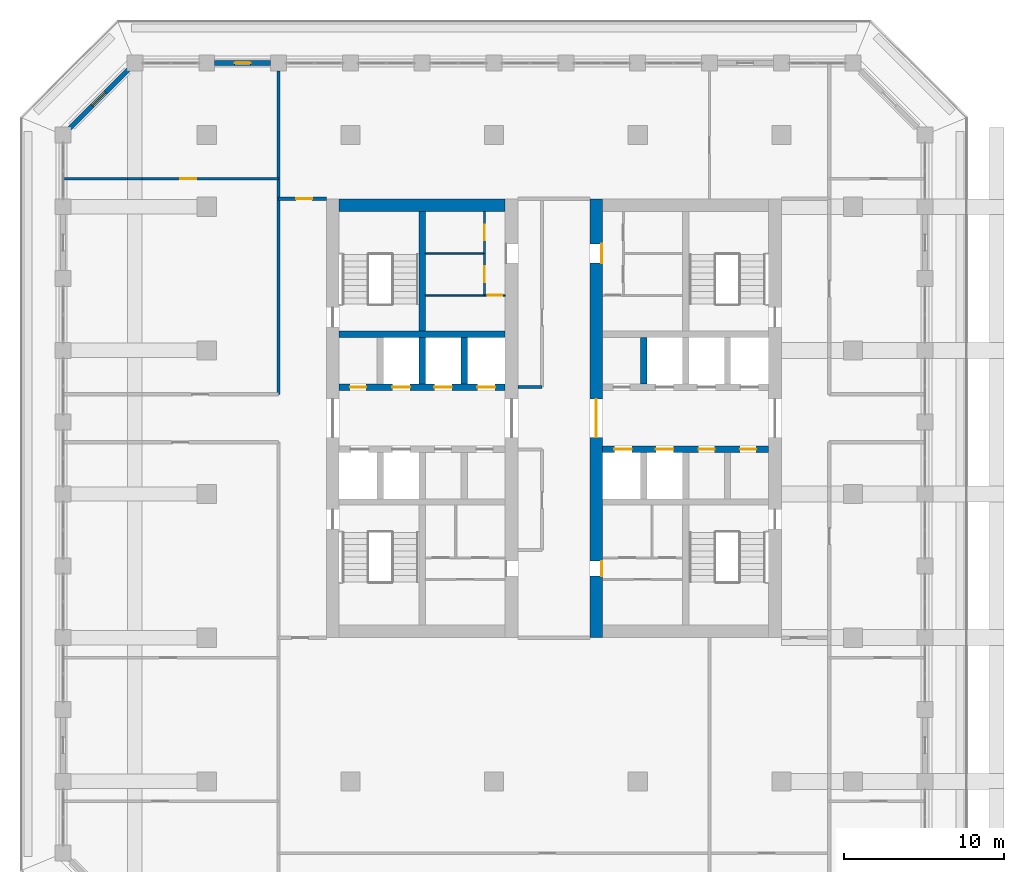
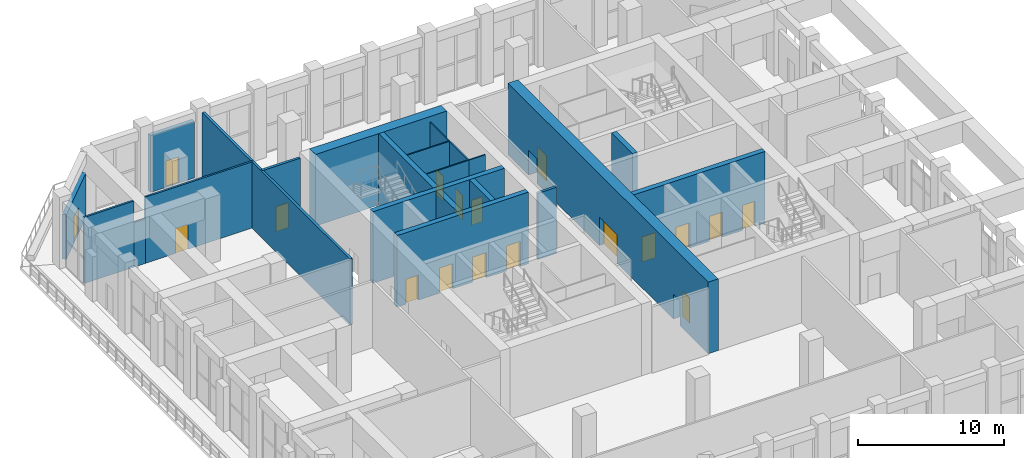
# One storey, part 15 of 25: 22 walls, 18 doors, 18 openings.
"""IFC4 building model written with IfcOpenShell, lengths in metres."""

import ifcopenshell
import ifcopenshell.guid

model = None  # the IFC model being written
_history = None  # IfcOwnerHistory: only IFC2X3 demands one
_inside = {}  # id of a spatial element -> (the spatial element, [elements in it])
_under = {}  # id of a project, library or spatial element -> (it, [spatial elements below it])
_declared = {}  # id of a project -> (the project, [libraries it declares])
_typed = {}  # id of a type object -> (the type object, [elements of that type])
_made_of = {}  # id of a material, layer set ... -> (it, [elements and type objects made of it])


def new_model(schema):
    """Start an empty IFC model of exactly this schema.

    Asked for "IFC4X3", IfcOpenShell would pick the latest addendum, in which some entities
    have other attributes; the version numbers below select the first issue.
    IFC2X3 requires an IfcOwnerHistory on every rooted entity: one is made here for all.
    """
    global model, _history
    if schema == "IFC4X3":
        model = ifcopenshell.file(schema_version=(4, 3, 0, 0))
    else:
        model = ifcopenshell.file(schema=schema)
    _inside.clear()
    _under.clear()
    _declared.clear()
    _typed.clear()
    _made_of.clear()
    _history = None
    if model.schema == "IFC2X3":
        org = make("IfcOrganization", Name="unknown")
        user = make(
            "IfcPersonAndOrganization",
            ThePerson=make("IfcPerson", FamilyName="unknown"),
            TheOrganization=org,
        )
        app = make(
            "IfcApplication",
            ApplicationDeveloper=org,
            Version="unknown",
            ApplicationFullName="unknown",
            ApplicationIdentifier="unknown",
        )
        _history = make(
            "IfcOwnerHistory",
            OwningUser=user,
            OwningApplication=app,
            ChangeAction="ADDED",
            CreationDate=0,
        )
    return model


def make(cls, **values):
    """One entity of the class cls with the attributes given. An attribute that is None is left unset."""
    return model.create_entity(
        cls, **{name: value for name, value in values.items() if value is not None}
    )


def rooted(cls, **values):
    """An entity with a GlobalId (a new one), such as an element, a storey or a relation."""
    return make(cls, GlobalId=ifcopenshell.guid.new(), OwnerHistory=_history, **values)


def si_unit(unit_type, name, prefix=None):
    """IfcSIUnit, for example si_unit("LENGTHUNIT", "METRE", prefix="MILLI")."""
    return make("IfcSIUnit", UnitType=unit_type, Prefix=prefix, Name=name)


def assignment(units):
    """IfcUnitAssignment: the units of a project."""
    return None if units is None else make("IfcUnitAssignment", Units=units)


def point(xyz):
    """IfcCartesianPoint."""
    return None if xyz is None else make("IfcCartesianPoint", Coordinates=xyz)


def direction(xyz):
    """IfcDirection."""
    return None if xyz is None else make("IfcDirection", DirectionRatios=xyz)


def frame(location, z_axis=None, x_axis=None):
    """IfcAxis2Placement3D, a coordinate frame: its origin and axes. An axis left out is left unset."""
    return make(
        "IfcAxis2Placement3D",
        Location=point(location),
        Axis=direction(z_axis),
        RefDirection=direction(x_axis),
    )


def frame_2d(location, x_axis=None):
    """IfcAxis2Placement2D, a coordinate frame in the plane: its origin and x axis."""
    return make(
        "IfcAxis2Placement2D", Location=point(location), RefDirection=direction(x_axis)
    )


def origin():
    """The frame at (0, 0, 0) with its axes left unset."""
    return frame((0.0, 0.0, 0.0))


def place(relative_to, where):
    """IfcLocalPlacement: puts the frame where relative to a parent placement (None: the world)."""
    return make(
        "IfcLocalPlacement", PlacementRelTo=relative_to, RelativePlacement=where
    )


def context(
    kind, dimensions, precision=None, world=None, true_north=None, identifier=None
):
    """IfcGeometricRepresentationContext, for example the 3D "Model" context."""
    return make(
        "IfcGeometricRepresentationContext",
        ContextIdentifier=identifier,
        ContextType=kind,
        CoordinateSpaceDimension=dimensions,
        Precision=precision,
        WorldCoordinateSystem=world,
        TrueNorth=true_north,
    )


def subcontext(parent, identifier, kind, view, scale=None):
    """IfcGeometricRepresentationSubContext, for example "Body" below "Model"."""
    return make(
        "IfcGeometricRepresentationSubContext",
        ContextIdentifier=identifier,
        ContextType=kind,
        ParentContext=parent,
        TargetScale=scale,
        TargetView=view,
    )


def project(units=None, contexts=None):
    """IfcProject with its units and contexts."""
    return rooted(
        "IfcProject",
        Name="project",
        RepresentationContexts=contexts,
        UnitsInContext=assignment(units),
    )


def spatial(cls, under=None, at=None, **own):
    """A site, building, storey or space (cls), placed at a placement, below another one or the project."""
    s = rooted(cls, ObjectPlacement=at, **own)
    if under is not None:
        _under.setdefault(under.id(), (under, []))[1].append(s)
    return s


def profile(cls, at=None, kind="AREA", **sizes):
    """A parametric profile (cls). Its sizes go by their IFC names, for example OverallWidth=200.0."""
    return make(cls, ProfileType=kind, Position=at, **sizes)


def rectangle(**sizes):
    """IfcRectangleProfileDef."""
    return profile("IfcRectangleProfileDef", **sizes)


def extrude(swept, where, along, depth):
    """IfcExtrudedAreaSolid: the profile swept, set in the frame where, extruded along a direction by depth."""
    return make(
        "IfcExtrudedAreaSolid",
        SweptArea=swept,
        Position=where,
        ExtrudedDirection=direction(along),
        Depth=depth,
    )


def shape(context_of_items, identifier, shape_type, items):
    """IfcShapeRepresentation: the items that make up one representation, for example the "Body"."""
    return make(
        "IfcShapeRepresentation",
        ContextOfItems=context_of_items,
        RepresentationIdentifier=identifier,
        RepresentationType=shape_type,
        Items=items,
    )


def material(Name=None, Category=None):
    """IfcMaterial."""
    return make("IfcMaterial", Name=Name, Category=Category)


def layer(
    of_material, thickness, ventilated=None, Name=None, Category=None, Priority=None
):
    """IfcMaterialLayer: one layer of a wall or slab, of a material (None: an air gap)."""
    return make(
        "IfcMaterialLayer",
        Material=of_material,
        LayerThickness=thickness,
        IsVentilated=ventilated,
        Name=Name,
        Category=Category,
        Priority=Priority,
    )


def layer_set(layers, Name=None):
    """IfcMaterialLayerSet."""
    return make("IfcMaterialLayerSet", MaterialLayers=layers, LayerSetName=Name)


def made_of(thing, what):
    """Note that an element or type object is made of a material, layer set ...; save() writes the relation."""
    if what is not None:
        _made_of.setdefault(what.id(), (what, []))[1].append(thing)
    return thing


def type_object(cls, material=None, **own):
    """A type object (cls), such as IfcWallType, which elements share."""
    return made_of(rooted(cls, **own), material)


def element(
    cls,
    number,
    at=None,
    inside=None,
    cuts=None,
    type_object=None,
    material=None,
    context=None,
    identifier="Body",
    shape_type=None,
    held_by="IfcProductDefinitionShape",
    body=None,
    shapes=None,
    **own,
):
    """One element of the class cls, such as IfcWall. Its Tag is "e" and its number.

    at: its placement. inside: the storey or other place that contains it. cuts: it is an
    opening in that element (IfcRelVoidsElement). A single representation is given by context,
    identifier, shape_type and body (its items); several are given by shapes. held_by: the class
    of the entity that holds the representations. save() writes the other relations.
    """
    e = rooted(cls, Tag="e%d" % number, ObjectPlacement=at, **own)
    if body is not None:
        shapes = [shape(context, identifier, shape_type, body)]
    if shapes is not None:
        e.Representation = make(held_by, Representations=shapes)
    if inside is not None:
        _inside.setdefault(inside.id(), (inside, []))[1].append(e)
    if cuts is not None:
        rooted(
            "IfcRelVoidsElement", RelatingBuildingElement=cuts, RelatedOpeningElement=e
        )
    if type_object is not None:
        _typed.setdefault(type_object.id(), (type_object, []))[1].append(e)
    return made_of(e, material)


def fill(opening, filler):
    """IfcRelFillsElement: the door or window that sits in an opening."""
    return rooted(
        "IfcRelFillsElement",
        RelatingOpeningElement=opening,
        RelatedBuildingElement=filler,
    )


def aggregate(whole, parts):
    """IfcRelAggregates: a whole, such as a stair, and the parts it consists of."""
    return rooted("IfcRelAggregates", RelatingObject=whole, RelatedObjects=parts)


def save(model, path):
    """Write the relations noted so far, then the file.

    IfcRelAggregates (storeys below a building ...), IfcRelContainedInSpatialStructure (elements
    in a storey), IfcRelDefinesByType, IfcRelAssociatesMaterial and IfcRelDeclares: one each for
    every whole, place, type object, material and project.
    """
    for whole, parts in _under.values():
        aggregate(whole, parts)
    for where, things in _inside.values():
        rooted(
            "IfcRelContainedInSpatialStructure",
            RelatedElements=things,
            RelatingStructure=where,
        )
    for kind, things in _typed.values():
        rooted("IfcRelDefinesByType", RelatedObjects=things, RelatingType=kind)
    for what, things in _made_of.values():
        rooted("IfcRelAssociatesMaterial", RelatedObjects=things, RelatingMaterial=what)
    for by, libraries in _declared.values():
        rooted("IfcRelDeclares", RelatingContext=by, RelatedDefinitions=libraries)
    model.write(path)


model = new_model("IFC4")

# Units and contexts
model_context = context("Model", 3, precision=1e-05, world=origin(), true_north=direction((0.0, 1.0)))
body_context = subcontext(model_context, "Body", "Model", "MODEL_VIEW")
ifc_project = project(units=[si_unit("LENGTHUNIT", "METRE"), si_unit("AREAUNIT", "SQUARE_METRE"), si_unit("VOLUMEUNIT", "CUBIC_METRE"), si_unit("PLANEANGLEUNIT", "RADIAN"), si_unit("MASSUNIT", "GRAM", prefix="KILO")], contexts=[model_context])

# Site, building, storey
site_placement = place(None, origin())
site = spatial("IfcSite", under=ifc_project, at=site_placement, CompositionType="ELEMENT")
building_placement = place(site_placement, origin())
building = spatial("IfcBuilding", under=site, at=building_placement, Name="Corbel Stack Research Tower", CompositionType="ELEMENT")
storey_placement = place(building_placement, frame((0.0, 0.0, 185.5)))
storey = spatial("IfcBuildingStorey", under=building, at=storey_placement, Name="L42", CompositionType="ELEMENT", Elevation=185.5)

# Wall, openings, doors
ifc_material_1 = material(Name="Concrete C60/75", Category="concrete")
ifc_layer_1 = layer(ifc_material_1, 0.39990234375)
ifc_layer_set_1 = layer_set([ifc_layer_1], Name="Concrete C60/75")
wall_type_1 = type_object("IfcWallType", Name="CW-400-60", PredefinedType="SHEAR", material=ifc_layer_set_1)
wall_1_placement = place(storey_placement, frame((-9.699951171875, 6.699951171875, 0.0), z_axis=(0.0, 0.0, 1.0), x_axis=(1.0, 0.0, 0.0)))
wall_1 = element("IfcWall", 1, at=wall_1_placement, inside=storey, type_object=wall_type_1, Name="West core wall, lobby north L42", PredefinedType="SHEAR", context=body_context, shape_type="SweptSolid", body=[
    extrude(rectangle(XDim=10.39990234375, YDim=0.39990234375, at=frame_2d((5.199951171875, 0.0))), origin(), (0.0, 0.0, 1.0), 6.0),
])
opening_1_placement = place(wall_1_placement, frame((3.33740234375, 0.0, 0.0)))
opening_1 = element("IfcOpeningElement", 2, at=opening_1_placement, cuts=wall_1, Name="Opening LD-HR1", PredefinedType="OPENING", context=body_context, shape_type="SweptSolid", body=[
    extrude(rectangle(XDim=1.10009765625, YDim=2.10009765625, at=frame_2d((0.550048828125, 1.050048828125))), frame((0.0, 0.2099609375, 0.0), z_axis=(0.0, -1.0, 0.0), x_axis=(1.0, 0.0, 0.0)), (0.0, 0.0, 1.0), 0.419921875),
])
opening_2_placement = place(wall_1_placement, frame((5.96240234375, 0.0, 0.0)))
opening_2 = element("IfcOpeningElement", 3, at=opening_2_placement, cuts=wall_1, Name="Opening LD-HR2", PredefinedType="OPENING", context=body_context, shape_type="SweptSolid", body=[
    extrude(rectangle(XDim=1.10009765625, YDim=2.10009765625, at=frame_2d((0.550048828125, 1.050048828125))), frame((0.0, 0.2099609375, 0.0), z_axis=(0.0, -1.0, 0.0), x_axis=(1.0, 0.0, 0.0)), (0.0, 0.0, 1.0), 0.419921875),
])
opening_3_placement = place(wall_1_placement, frame((8.66259765625, 0.0, 0.0)))
opening_3 = element("IfcOpeningElement", 4, at=opening_3_placement, cuts=wall_1, Name="Opening LD-HR3", PredefinedType="OPENING", context=body_context, shape_type="SweptSolid", body=[
    extrude(rectangle(XDim=1.10009765625, YDim=2.10009765625, at=frame_2d((0.550048828125, 1.050048828125))), frame((0.0, 0.2099609375, 0.0), z_axis=(0.0, -1.0, 0.0), x_axis=(1.0, 0.0, 0.0)), (0.0, 0.0, 1.0), 0.419921875),
])
opening_4_placement = place(wall_1_placement, frame((0.6875, 0.0, 0.0)))
opening_4 = element("IfcOpeningElement", 5, at=opening_4_placement, cuts=wall_1, Name="Opening CR-W24-N1", PredefinedType="OPENING", context=body_context, shape_type="SweptSolid", body=[
    extrude(rectangle(XDim=1.0, YDim=2.10009765625, at=frame_2d((0.5, 1.050048828125))), frame((0.0, 0.2099609375, 0.0), z_axis=(0.0, -1.0, 0.0), x_axis=(1.0, 0.0, 0.0)), (0.0, 0.0, 1.0), 0.419921875),
])
ifc_material_2 = material(Name="Stainless steel landing door", Category="steel")
door_type_1 = type_object("IfcDoorType", Name="Lift landing door 1100 x 2100", OperationType="DOUBLE_DOOR_SLIDING", PredefinedType="DOOR", material=ifc_material_2)
door_1_placement = place(opening_1_placement, origin())
door_1 = element("IfcDoor", 6, at=door_1_placement, inside=storey, type_object=door_type_1, Name="Landing door HR1", OperationType="DOUBLE_DOOR_SLIDING", OverallHeight=2.10009765625, OverallWidth=1.10009765625, PredefinedType="DOOR", context=body_context, shape_type="SweptSolid", body=[
    extrude(rectangle(XDim=1.10009765625, YDim=2.10009765625, at=frame_2d((0.550048828125, 1.050048828125))), frame((0.0, 0.02490234375, 0.0), z_axis=(0.0, -1.0, 0.0), x_axis=(1.0, 0.0, 0.0)), (0.0, 0.0, 1.0), 0.050048828125),
])
fill(opening_1, door_1)
door_2_placement = place(opening_2_placement, origin())
door_2 = element("IfcDoor", 7, at=door_2_placement, inside=storey, type_object=door_type_1, Name="Landing door HR2", OperationType="DOUBLE_DOOR_SLIDING", OverallHeight=2.10009765625, OverallWidth=1.10009765625, PredefinedType="DOOR", context=body_context, shape_type="SweptSolid", body=[
    extrude(rectangle(XDim=1.10009765625, YDim=2.10009765625, at=frame_2d((0.550048828125, 1.050048828125))), frame((0.0, 0.02490234375, 0.0), z_axis=(0.0, -1.0, 0.0), x_axis=(1.0, 0.0, 0.0)), (0.0, 0.0, 1.0), 0.050048828125),
])
fill(opening_2, door_2)
door_3_placement = place(opening_3_placement, origin())
door_3 = element("IfcDoor", 8, at=door_3_placement, inside=storey, type_object=door_type_1, Name="Landing door HR3", OperationType="DOUBLE_DOOR_SLIDING", OverallHeight=2.10009765625, OverallWidth=1.10009765625, PredefinedType="DOOR", context=body_context, shape_type="SweptSolid", body=[
    extrude(rectangle(XDim=1.10009765625, YDim=2.10009765625, at=frame_2d((0.550048828125, 1.050048828125))), frame((0.0, 0.02490234375, 0.0), z_axis=(0.0, -1.0, 0.0), x_axis=(1.0, 0.0, 0.0)), (0.0, 0.0, 1.0), 0.050048828125),
])
fill(opening_3, door_3)
ifc_material_3 = material(Name="Painted steel door", Category="steel")
door_type_2 = type_object("IfcDoorType", Name="Service door 1000 x 2100 FD60 left hand", OperationType="SINGLE_SWING_LEFT", PredefinedType="DOOR", material=ifc_material_3)
door_4_placement = place(opening_4_placement, origin())
door_4 = element("IfcDoor", 9, at=door_4_placement, inside=storey, type_object=door_type_2, Name="Pantry door W core", OperationType="SINGLE_SWING_LEFT", OverallHeight=2.10009765625, OverallWidth=1.0, PredefinedType="DOOR", context=body_context, shape_type="SweptSolid", body=[
    extrude(rectangle(XDim=1.0, YDim=2.10009765625, at=frame_2d((0.5, 1.050048828125))), frame((0.0, 0.02490234375, 0.0), z_axis=(0.0, -1.0, 0.0), x_axis=(1.0, 0.0, 0.0)), (0.0, 0.0, 1.0), 0.050048828125),
])
fill(opening_4, door_4)

# Walls
wall_2_placement = place(storey_placement, frame((-9.699951171875, 10.0, 0.0), z_axis=(0.0, 0.0, 1.0), x_axis=(1.0, 0.0, 0.0)))
element("IfcWall", 10, at=wall_2_placement, inside=storey, type_object=wall_type_1, Name="West core wall, north row back L42", PredefinedType="SHEAR", context=body_context, shape_type="SweptSolid", body=[
    extrude(rectangle(XDim=10.39990234375, YDim=0.39990234375, at=frame_2d((5.199951171875, 0.0))), origin(), (0.0, 0.0, 1.0), 6.0),
])
for number, where, z_axis, x_axis, name in (
    (11, (-4.5, 6.89990234375, 0.0), (0.0, 0.0, 1.0), (0.0, 1.0, 0.0), "West core wall, north shaft 2 L42"),
    (12, (-1.875, 6.89990234375, 0.0), (0.0, 0.0, 1.0), (0.0, 1.0, 0.0), "West core wall, north shaft 3 L42"),
):
    element("IfcWall", number, at=place(storey_placement, frame(where, z_axis=z_axis, x_axis=x_axis)), inside=storey, type_object=wall_type_1, Name=name, PredefinedType="SHEAR", context=body_context, shape_type="SweptSolid", body=[
        extrude(rectangle(XDim=2.900146484375, YDim=0.39990234375, at=frame_2d((1.4501953125, 0.0))), origin(), (0.0, 0.0, 1.0), 6.0),
    ])
wall_3_placement = place(storey_placement, frame((-4.5, 10.199951171875, 0.0), z_axis=(0.0, 0.0, 1.0), x_axis=(0.0, 1.0, 0.0)))
element("IfcWall", 13, at=wall_3_placement, inside=storey, type_object=wall_type_1, Name="West core wall, north stair and riser L42", PredefinedType="SHEAR", context=body_context, shape_type="SweptSolid", body=[
    extrude(rectangle(XDim=7.5, YDim=0.39990234375, at=frame_2d((3.75, 0.0))), origin(), (0.0, 0.0, 1.0), 6.0),
])

# Wall, openings, doors
wall_4_placement = place(storey_placement, frame((6.800048828125, 2.800048828125, 0.0), z_axis=(0.0, 0.0, 1.0), x_axis=(1.0, 0.0, 0.0)))
wall_4 = element("IfcWall", 14, at=wall_4_placement, inside=storey, type_object=wall_type_1, Name="East core wall, lobby south L42", PredefinedType="SHEAR", context=body_context, shape_type="SweptSolid", body=[
    extrude(rectangle(XDim=10.39990234375, YDim=0.39990234375, at=frame_2d((5.199951171875, 0.0))), origin(), (0.0, 0.0, 1.0), 6.0),
])
opening_5_placement = place(wall_4_placement, frame((0.737548828125, 0.0, 0.0)))
opening_5 = element("IfcOpeningElement", 15, at=opening_5_placement, cuts=wall_4, Name="Opening LD-FS2", PredefinedType="OPENING", context=body_context, shape_type="SweptSolid", body=[
    extrude(rectangle(XDim=1.10009765625, YDim=2.10009765625, at=frame_2d((0.550048828125, 1.050048828125))), frame((0.0, 0.2099609375, 0.0), z_axis=(0.0, -1.0, 0.0), x_axis=(1.0, 0.0, 0.0)), (0.0, 0.0, 1.0), 0.419921875),
])
opening_6_placement = place(wall_4_placement, frame((3.33740234375, 0.0, 0.0)))
opening_6 = element("IfcOpeningElement", 16, at=opening_6_placement, cuts=wall_4, Name="Opening LD-GL2", PredefinedType="OPENING", context=body_context, shape_type="SweptSolid", body=[
    extrude(rectangle(XDim=1.10009765625, YDim=2.10009765625, at=frame_2d((0.550048828125, 1.050048828125))), frame((0.0, 0.2099609375, 0.0), z_axis=(0.0, -1.0, 0.0), x_axis=(1.0, 0.0, 0.0)), (0.0, 0.0, 1.0), 0.419921875),
])
opening_7_placement = place(wall_4_placement, frame((6.012451171875, 0.0, 0.0)))
opening_7 = element("IfcOpeningElement", 17, at=opening_7_placement, cuts=wall_4, Name="Opening CR-E24-S3", PredefinedType="OPENING", context=body_context, shape_type="SweptSolid", body=[
    extrude(rectangle(XDim=1.0, YDim=2.10009765625, at=frame_2d((0.5, 1.050048828125))), frame((0.0, 0.2099609375, 0.0), z_axis=(0.0, -1.0, 0.0), x_axis=(1.0, 0.0, 0.0)), (0.0, 0.0, 1.0), 0.419921875),
])
opening_8_placement = place(wall_4_placement, frame((8.612548828125, 0.0, 0.0)))
opening_8 = element("IfcOpeningElement", 18, at=opening_8_placement, cuts=wall_4, Name="Opening CR-E24-S4", PredefinedType="OPENING", context=body_context, shape_type="SweptSolid", body=[
    extrude(rectangle(XDim=1.0, YDim=2.10009765625, at=frame_2d((0.5, 1.050048828125))), frame((0.0, 0.2099609375, 0.0), z_axis=(0.0, -1.0, 0.0), x_axis=(1.0, 0.0, 0.0)), (0.0, 0.0, 1.0), 0.419921875),
])
door_5_placement = place(opening_5_placement, origin())
door_5 = element("IfcDoor", 19, at=door_5_placement, inside=storey, type_object=door_type_1, Name="Landing door FS2", OperationType="DOUBLE_DOOR_SLIDING", OverallHeight=2.10009765625, OverallWidth=1.10009765625, PredefinedType="DOOR", context=body_context, shape_type="SweptSolid", body=[
    extrude(rectangle(XDim=1.10009765625, YDim=2.10009765625, at=frame_2d((0.550048828125, 1.050048828125))), frame((0.0, 0.02490234375, 0.0), z_axis=(0.0, -1.0, 0.0), x_axis=(1.0, 0.0, 0.0)), (0.0, 0.0, 1.0), 0.050048828125),
])
fill(opening_5, door_5)
door_6_placement = place(opening_6_placement, origin())
door_6 = element("IfcDoor", 20, at=door_6_placement, inside=storey, type_object=door_type_1, Name="Landing door GL2", OperationType="DOUBLE_DOOR_SLIDING", OverallHeight=2.10009765625, OverallWidth=1.10009765625, PredefinedType="DOOR", context=body_context, shape_type="SweptSolid", body=[
    extrude(rectangle(XDim=1.10009765625, YDim=2.10009765625, at=frame_2d((0.550048828125, 1.050048828125))), frame((0.0, 0.02490234375, 0.0), z_axis=(0.0, -1.0, 0.0), x_axis=(1.0, 0.0, 0.0)), (0.0, 0.0, 1.0), 0.050048828125),
])
fill(opening_6, door_6)
door_7_placement = place(opening_7_placement, origin())
door_7 = element("IfcDoor", 21, at=door_7_placement, inside=storey, type_object=door_type_2, Name="Mechanical room door E core", OperationType="SINGLE_SWING_LEFT", OverallHeight=2.10009765625, OverallWidth=1.0, PredefinedType="DOOR", context=body_context, shape_type="SweptSolid", body=[
    extrude(rectangle(XDim=1.0, YDim=2.10009765625, at=frame_2d((0.5, 1.050048828125))), frame((0.0, 0.02490234375, 0.0), z_axis=(0.0, -1.0, 0.0), x_axis=(1.0, 0.0, 0.0)), (0.0, 0.0, 1.0), 0.050048828125),
])
fill(opening_7, door_7)
ifc_material_4 = material(Name="Painted steel door", Category="steel")
door_type_3 = type_object("IfcDoorType", Name="Service door 1000 x 2100 FD60 right hand", OperationType="SINGLE_SWING_RIGHT", PredefinedType="DOOR", material=ifc_material_4)
door_8_placement = place(opening_8_placement, origin())
door_8 = element("IfcDoor", 22, at=door_8_placement, inside=storey, type_object=door_type_3, Name="Telecom room door E core", OperationType="SINGLE_SWING_RIGHT", OverallHeight=2.10009765625, OverallWidth=1.0, PredefinedType="DOOR", context=body_context, shape_type="SweptSolid", body=[
    extrude(rectangle(XDim=1.0, YDim=2.10009765625, at=frame_2d((0.5, 1.050048828125))), frame((0.0, 0.02490234375, 0.0), z_axis=(0.0, -1.0, 0.0), x_axis=(1.0, 0.0, 0.0)), (0.0, 0.0, 1.0), 0.050048828125),
])
fill(opening_8, door_8)

# Walls
wall_5_placement = place(storey_placement, frame((9.375, 6.89990234375, 0.0), z_axis=(0.0, 0.0, 1.0), x_axis=(0.0, 1.0, 0.0)))
element("IfcWall", 23, at=wall_5_placement, inside=storey, type_object=wall_type_1, Name="East core wall, north shaft 1 L42", PredefinedType="SHEAR", context=body_context, shape_type="SweptSolid", body=[
    extrude(rectangle(XDim=2.900146484375, YDim=0.39990234375, at=frame_2d((1.4501953125, 0.0))), origin(), (0.0, 0.0, 1.0), 6.0),
])
ifc_material_5 = material(Name="Concrete C60/75", Category="concrete")
ifc_layer_2 = layer(ifc_material_5, 0.800048828125)
ifc_layer_set_2 = layer_set([ifc_layer_2], Name="Concrete C60/75")
wall_type_2 = type_object("IfcWallType", Name="CW-800-60", PredefinedType="SHEAR", material=ifc_layer_set_2)
wall_6_placement = place(storey_placement, frame((-9.699951171875, 18.10009765625, 0.0), z_axis=(0.0, 0.0, 1.0), x_axis=(1.0, 0.0, 0.0)))
element("IfcWall", 24, at=wall_6_placement, inside=storey, type_object=wall_type_2, Name="West core wall, north end L42", PredefinedType="SHEAR", context=body_context, shape_type="SweptSolid", body=[
    extrude(rectangle(XDim=10.39990234375, YDim=0.800048828125, at=frame_2d((5.199951171875, 0.0))), origin(), (0.0, 0.0, 1.0), 6.0),
])

# Wall, openings, doors
wall_7_placement = place(storey_placement, frame((6.39990234375, -9.0, 0.0), z_axis=(0.0, 0.0, 1.0), x_axis=(0.0, 1.0, 0.0)))
wall_7 = element("IfcWall", 25, at=wall_7_placement, inside=storey, type_object=wall_type_2, Name="East core wall, west face L42", PredefinedType="SHEAR", context=body_context, shape_type="SweptSolid", body=[
    extrude(rectangle(XDim=27.5, YDim=0.800048828125, at=frame_2d((13.75, 0.0))), origin(), (0.0, 0.0, 1.0), 6.0),
])
opening_9_placement = place(wall_7_placement, frame((12.550048828125, 0.0, 0.0)))
opening_9 = element("IfcOpeningElement", 26, at=opening_9_placement, cuts=wall_7, Name="Opening CD-E-W", PredefinedType="OPENING", context=body_context, shape_type="SweptSolid", body=[
    extrude(rectangle(XDim=2.39990234375, YDim=2.39990234375, at=frame_2d((1.199951171875, 1.199951171875))), frame((0.0, 0.409912109375, 0.0), z_axis=(0.0, -1.0, 0.0), x_axis=(1.0, 0.0, 0.0)), (0.0, 0.0, 1.0), 0.820068359375),
])
opening_10_placement = place(wall_7_placement, frame((3.85009765625, 0.0, 0.0)))
opening_10 = element("IfcOpeningElement", 27, at=opening_10_placement, cuts=wall_7, Name="Opening CR-E24-W1-950", PredefinedType="OPENING", context=body_context, shape_type="SweptSolid", body=[
    extrude(rectangle(XDim=0.949951171875, YDim=2.10009765625, at=frame_2d((0.47509765625, 1.050048828125))), frame((0.0, 0.409912109375, 0.0), z_axis=(0.0, -1.0, 0.0), x_axis=(1.0, 0.0, 0.0)), (0.0, 0.0, 1.0), 0.820068359375),
])
opening_11_placement = place(wall_7_placement, frame((23.47509765625, 0.0, 0.0)))
opening_11 = element("IfcOpeningElement", 28, at=opening_11_placement, cuts=wall_7, Name="Opening CR-E24-R2-1200", PredefinedType="OPENING", context=body_context, shape_type="SweptSolid", body=[
    extrude(rectangle(XDim=1.199951171875, YDim=2.10009765625, at=frame_2d((0.60009765625, 1.050048828125))), frame((0.0, 0.409912109375, 0.0), z_axis=(0.0, -1.0, 0.0), x_axis=(1.0, 0.0, 0.0)), (0.0, 0.0, 1.0), 0.820068359375),
])
ifc_material_6 = material(Name="Painted steel fire door", Category="steel")
door_type_4 = type_object("IfcDoorType", Name="Lobby door pair 2400 x 2400 FD30S", OperationType="DOUBLE_DOOR_DOUBLE_SWING", PredefinedType="DOOR", material=ifc_material_6)
door_9_placement = place(opening_9_placement, origin())
door_9 = element("IfcDoor", 29, at=door_9_placement, inside=storey, type_object=door_type_4, Name="Lift lobby door E core W", OperationType="DOUBLE_DOOR_DOUBLE_SWING", OverallHeight=2.39990234375, OverallWidth=2.39990234375, PredefinedType="DOOR", context=body_context, shape_type="SweptSolid", body=[
    extrude(rectangle(XDim=2.39990234375, YDim=2.39990234375, at=frame_2d((1.199951171875, 1.199951171875))), frame((0.0, 0.02490234375, 0.0), z_axis=(0.0, -1.0, 0.0), x_axis=(1.0, 0.0, 0.0)), (0.0, 0.0, 1.0), 0.050048828125),
])
fill(opening_9, door_9)
ifc_material_7 = material(Name="Painted steel door", Category="steel")
door_type_5 = type_object("IfcDoorType", Name="Service door 1200 x 2100 FD30 left hand", OperationType="SINGLE_SWING_LEFT", PredefinedType="DOOR", material=ifc_material_7)
door_10_placement = place(opening_11_placement, origin())
door_10 = element("IfcDoor", 30, at=door_10_placement, inside=storey, type_object=door_type_5, Name="Service passage door E core", OperationType="SINGLE_SWING_LEFT", OverallHeight=2.10009765625, OverallWidth=1.199951171875, PredefinedType="DOOR", context=body_context, shape_type="SweptSolid", body=[
    extrude(rectangle(XDim=1.199951171875, YDim=2.10009765625, at=frame_2d((0.60009765625, 1.050048828125))), frame((0.0, -0.3251953125, 0.0), z_axis=(0.0, -1.0, 0.0), x_axis=(1.0, 0.0, 0.0)), (0.0, 0.0, 1.0), 0.050048828125),
])
fill(opening_11, door_10)
ifc_material_8 = material(Name="Painted timber door", Category="wood")
door_type_6 = type_object("IfcDoorType", Name="WC door 950 x 2100 right hand", OperationType="SINGLE_SWING_RIGHT", PredefinedType="DOOR", material=ifc_material_8)
door_11_placement = place(opening_10_placement, origin())
door_11 = element("IfcDoor", 31, at=door_11_placement, inside=storey, type_object=door_type_6, Name="WC lobby door E core", OperationType="SINGLE_SWING_RIGHT", OverallHeight=2.10009765625, OverallWidth=0.949951171875, PredefinedType="DOOR", context=body_context, shape_type="SweptSolid", body=[
    extrude(rectangle(XDim=0.949951171875, YDim=2.10009765625, at=frame_2d((0.47509765625, 1.050048828125))), frame((0.0, -0.3251953125, 0.0), z_axis=(0.0, -1.0, 0.0), x_axis=(1.0, 0.0, 0.0)), (0.0, 0.0, 1.0), 0.050048828125),
])
fill(opening_10, door_11)

# Wall, opening, door
ifc_material_9 = material(Name="Gypsum board")
ifc_layer_3 = layer(ifc_material_9, 0.10009765625)
ifc_layer_set_3 = layer_set([ifc_layer_3], Name="Gypsum board")
wall_type_3 = type_object("IfcWallType", Name="Core partition 100", PredefinedType="PARTITIONING", material=ifc_layer_set_3)
wall_8_placement = place(storey_placement, frame((-0.60009765625, 12.449951171875, 0.0), z_axis=(0.0, 0.0, 1.0), x_axis=(1.0, 0.0, 0.0)))
wall_8 = element("IfcWall", 32, at=wall_8_placement, inside=storey, type_object=wall_type_3, Name="Core partition W", PredefinedType="PARTITIONING", context=body_context, shape_type="SweptSolid", body=[
    extrude(rectangle(XDim=1.300048828125, YDim=0.10009765625, at=frame_2d((0.64990234375, 0.0))), origin(), (0.0, 0.0, 1.0), 5.550048828125),
])
opening_12_placement = place(wall_8_placement, frame((0.199951171875, 0.0, 0.0)))
opening_12 = element("IfcOpeningElement", 33, at=opening_12_placement, cuts=wall_8, Name="Opening CR-W24-R1-900", PredefinedType="OPENING", context=body_context, shape_type="SweptSolid", body=[
    extrude(rectangle(XDim=0.89990234375, YDim=2.10009765625, at=frame_2d((0.449951171875, 1.050048828125))), frame((0.0, 0.06005859375, 0.0), z_axis=(0.0, -1.0, 0.0), x_axis=(1.0, 0.0, 0.0)), (0.0, 0.0, 1.0), 0.1201171875),
])
ifc_material_10 = material(Name="Painted steel door", Category="steel")
door_type_7 = type_object("IfcDoorType", Name="Riser door 900 x 2100 FD60 left hand", OperationType="SINGLE_SWING_LEFT", PredefinedType="DOOR", material=ifc_material_10)
door_12_placement = place(opening_12_placement, origin())
door_12 = element("IfcDoor", 34, at=door_12_placement, inside=storey, type_object=door_type_7, Name="Electrical riser door W core", OperationType="SINGLE_SWING_LEFT", OverallHeight=2.10009765625, OverallWidth=0.89990234375, PredefinedType="DOOR", context=body_context, shape_type="SweptSolid", body=[
    extrude(rectangle(XDim=0.89990234375, YDim=2.10009765625, at=frame_2d((0.449951171875, 1.050048828125))), frame((0.0, 0.02490234375, 0.0), z_axis=(0.0, -1.0, 0.0), x_axis=(1.0, 0.0, 0.0)), (0.0, 0.0, 1.0), 0.050048828125),
])
fill(opening_12, door_12)

# Wall
wall_9_placement = place(storey_placement, frame((-4.300048828125, 12.449951171875, 0.0), z_axis=(0.0, 0.0, 1.0), x_axis=(1.0, 0.0, 0.0)))
element("IfcWall", 35, at=wall_9_placement, inside=storey, type_object=wall_type_3, Name="Core partition W", PredefinedType="PARTITIONING", context=body_context, shape_type="SweptSolid", body=[
    extrude(rectangle(XDim=3.699951171875, YDim=0.10009765625, at=frame_2d((1.85009765625, 0.0))), origin(), (0.0, 0.0, 1.0), 5.550048828125),
])

# Wall, opening, door
wall_10_placement = place(storey_placement, frame((-0.60009765625, 12.449951171875, 0.0), z_axis=(0.0, 0.0, 1.0), x_axis=(0.0, 1.0, 0.0)))
wall_10 = element("IfcWall", 36, at=wall_10_placement, inside=storey, type_object=wall_type_3, Name="Core partition W", PredefinedType="PARTITIONING", context=body_context, shape_type="SweptSolid", body=[
    extrude(rectangle(XDim=2.625, YDim=0.10009765625, at=frame_2d((1.3125, 0.0))), origin(), (0.0, 0.0, 1.0), 5.550048828125),
])
opening_13_placement = place(wall_10_placement, frame((0.8125, 0.0, 0.0)))
opening_13 = element("IfcOpeningElement", 37, at=opening_13_placement, cuts=wall_10, Name="Opening CR-W24-R3-1000", PredefinedType="OPENING", context=body_context, shape_type="SweptSolid", body=[
    extrude(rectangle(XDim=1.0, YDim=2.10009765625, at=frame_2d((0.5, 1.050048828125))), frame((0.0, 0.06005859375, 0.0), z_axis=(0.0, -1.0, 0.0), x_axis=(1.0, 0.0, 0.0)), (0.0, 0.0, 1.0), 0.1201171875),
])
ifc_material_11 = material(Name="Painted steel door", Category="steel")
door_type_8 = type_object("IfcDoorType", Name="Service door 1000 x 2100 FD30 left hand", OperationType="SINGLE_SWING_LEFT", PredefinedType="DOOR", material=ifc_material_11)
door_13_placement = place(opening_13_placement, origin())
door_13 = element("IfcDoor", 38, at=door_13_placement, inside=storey, type_object=door_type_8, Name="Pantry door W core", OperationType="SINGLE_SWING_LEFT", OverallHeight=2.10009765625, OverallWidth=1.0, PredefinedType="DOOR", context=body_context, shape_type="SweptSolid", body=[
    extrude(rectangle(XDim=1.0, YDim=2.10009765625, at=frame_2d((0.5, 1.050048828125))), frame((0.0, 0.02490234375, 0.0), z_axis=(0.0, -1.0, 0.0), x_axis=(1.0, 0.0, 0.0)), (0.0, 0.0, 1.0), 0.050048828125),
])
fill(opening_13, door_13)

wall_11_placement = place(storey_placement, frame((-0.60009765625, 15.074951171875, 0.0), z_axis=(0.0, 0.0, 1.0), x_axis=(0.0, 1.0, 0.0)))
wall_11 = element("IfcWall", 39, at=wall_11_placement, inside=storey, type_object=wall_type_3, Name="Core partition W", PredefinedType="PARTITIONING", context=body_context, shape_type="SweptSolid", body=[
    extrude(rectangle(XDim=2.625, YDim=0.10009765625, at=frame_2d((1.3125, 0.0))), origin(), (0.0, 0.0, 1.0), 5.550048828125),
])
opening_14_placement = place(wall_11_placement, frame((0.8125, 0.0, 0.0)))
opening_14 = element("IfcOpeningElement", 40, at=opening_14_placement, cuts=wall_11, Name="Opening CR-W24-R4-1000", PredefinedType="OPENING", context=body_context, shape_type="SweptSolid", body=[
    extrude(rectangle(XDim=1.0, YDim=2.10009765625, at=frame_2d((0.5, 1.050048828125))), frame((0.0, 0.06005859375, 0.0), z_axis=(0.0, -1.0, 0.0), x_axis=(1.0, 0.0, 0.0)), (0.0, 0.0, 1.0), 0.1201171875),
])
ifc_material_12 = material(Name="Painted steel door", Category="steel")
door_type_9 = type_object("IfcDoorType", Name="Service door 1000 x 2100 FD30 right hand", OperationType="SINGLE_SWING_RIGHT", PredefinedType="DOOR", material=ifc_material_12)
door_14_placement = place(opening_14_placement, origin())
door_14 = element("IfcDoor", 41, at=door_14_placement, inside=storey, type_object=door_type_9, Name="Copy and supply store door W core", OperationType="SINGLE_SWING_RIGHT", OverallHeight=2.10009765625, OverallWidth=1.0, PredefinedType="DOOR", context=body_context, shape_type="SweptSolid", body=[
    extrude(rectangle(XDim=1.0, YDim=2.10009765625, at=frame_2d((0.5, 1.050048828125))), frame((0.0, 0.02490234375, 0.0), z_axis=(0.0, -1.0, 0.0), x_axis=(1.0, 0.0, 0.0)), (0.0, 0.0, 1.0), 0.050048828125),
])
fill(opening_14, door_14)

# Walls
wall_12_placement = place(storey_placement, frame((-4.300048828125, 15.074951171875, 0.0), z_axis=(0.0, 0.0, 1.0), x_axis=(1.0, 0.0, 0.0)))
element("IfcWall", 42, at=wall_12_placement, inside=storey, type_object=wall_type_3, Name="Core partition W", PredefinedType="PARTITIONING", context=body_context, shape_type="SweptSolid", body=[
    extrude(rectangle(XDim=3.699951171875, YDim=0.10009765625, at=frame_2d((1.85009765625, 0.0))), origin(), (0.0, 0.0, 1.0), 5.550048828125),
])
ifc_material_13 = material(Name="Fire-rated gypsum board partition on steel studs", Category="steel")
ifc_layer_4 = layer(ifc_material_13, 0.199951171875)
ifc_layer_set_4 = layer_set([ifc_layer_4], Name="Fire-rated gypsum board partition on steel studs")
wall_type_4 = type_object("IfcWallType", Name="Fire-rated partition 200 EI 60", PredefinedType="PARTITIONING", material=ifc_layer_set_4)
wall_13_placement = place(storey_placement, frame((-13.5, 6.25, 0.0), z_axis=(0.0, 0.0, 1.0), x_axis=(0.0, 1.0, 0.0)))
element("IfcWall", 43, at=wall_13_placement, inside=storey, type_object=wall_type_4, Name="Partition L42-002", PredefinedType="PARTITIONING", context=body_context, shape_type="SweptSolid", body=[
    extrude(rectangle(XDim=20.25, YDim=0.199951171875, at=frame_2d((10.125, 0.0))), origin(), (0.0, 0.0, 1.0), 5.550048828125),
])
wall_14_placement = place(storey_placement, frame((1.5, 6.699951171875, 0.0), z_axis=(0.0, 0.0, 1.0), x_axis=(1.0, 0.0, 0.0)))
element("IfcWall", 44, at=wall_14_placement, inside=storey, type_object=wall_type_4, Name="Partition L42-041", PredefinedType="PARTITIONING", context=body_context, shape_type="SweptSolid", body=[
    extrude(rectangle(XDim=1.5, YDim=0.199951171875, at=frame_2d((0.75, 0.0))), origin(), (0.0, 0.0, 1.0), 5.550048828125),
])

# Wall, opening, door
wall_15_placement = place(storey_placement, frame((-13.5, 18.5, 0.0), z_axis=(0.0, 0.0, 1.0), x_axis=(1.0, 0.0, 0.0)))
wall_15 = element("IfcWall", 45, at=wall_15_placement, inside=storey, type_object=wall_type_4, Name="Partition L42-042", PredefinedType="PARTITIONING", context=body_context, shape_type="SweptSolid", body=[
    extrude(rectangle(XDim=3.0, YDim=0.199951171875, at=frame_2d((1.5, 0.0))), origin(), (0.0, 0.0, 1.0), 5.550048828125),
])
opening_15_placement = place(wall_15_placement, frame((1.10009765625, 0.0, 0.0)))
opening_15 = element("IfcOpeningElement", 46, at=opening_15_placement, cuts=wall_15, Name="Opening B5AM-014", PredefinedType="OPENING", context=body_context, shape_type="SweptSolid", body=[
    extrude(rectangle(XDim=1.0, YDim=2.10009765625, at=frame_2d((0.5, 1.050048828125))), frame((0.0, 0.10986328125, 0.0), z_axis=(0.0, -1.0, 0.0), x_axis=(1.0, 0.0, 0.0)), (0.0, 0.0, 1.0), 0.219970703125),
])
ifc_material_14 = material(Name="Painted steel fire door", Category="steel")
door_type_10 = type_object("IfcDoorType", Name="Fire door FD30S 1000 x 2100", OperationType="NOTDEFINED", PredefinedType="DOOR", material=ifc_material_14)
door_15_placement = place(opening_15_placement, origin())
door_15 = element("IfcDoor", 47, at=door_15_placement, inside=storey, type_object=door_type_10, Name="Door B5AM-014", OperationType="SINGLE_SWING_RIGHT", OverallHeight=2.10009765625, OverallWidth=1.0, PredefinedType="DOOR", context=body_context, shape_type="SweptSolid", body=[
    extrude(rectangle(XDim=1.0, YDim=2.10009765625, at=frame_2d((0.5, 1.050048828125))), frame((0.0, 0.02490234375, 0.0), z_axis=(0.0, -1.0, 0.0), x_axis=(1.0, 0.0, 0.0)), (0.0, 0.0, 1.0), 0.050048828125),
])
fill(opening_15, door_15)

# Walls
ifc_material_15 = material(Name="Gypsum board partition on steel studs", Category="steel")
ifc_layer_5 = layer(ifc_material_15, 0.14990234375)
ifc_layer_set_5 = layer_set([ifc_layer_5], Name="Gypsum board partition on steel studs")
wall_type_5 = type_object("IfcWallType", Name="Partition 150", PredefinedType="PARTITIONING", material=ifc_layer_set_5)
wall_16_placement = place(storey_placement, frame((-26.89990234375, 19.75, 0.0), z_axis=(0.0, 0.0, 1.0), x_axis=(1.0, 0.0, 0.0)))
element("IfcWall", 48, at=wall_16_placement, inside=storey, type_object=wall_type_5, Name="Partition L42-045", PredefinedType="PARTITIONING", context=body_context, shape_type="SweptSolid", body=[
    extrude(rectangle(XDim=3.949951171875, YDim=0.14990234375, at=frame_2d((1.97509765625, 0.0))), origin(), (0.0, 0.0, 1.0), 5.550048828125),
])
wall_17_placement = place(storey_placement, frame((-22.949951171875, 19.75, 0.0), z_axis=(0.0, 0.0, 1.0), x_axis=(1.0, 0.0, 0.0)))
element("IfcWall", 49, at=wall_17_placement, inside=storey, type_object=wall_type_5, Name="Partition L42-046", PredefinedType="PARTITIONING", context=body_context, shape_type="SweptSolid", body=[
    extrude(rectangle(XDim=0.89990234375, YDim=0.14990234375, at=frame_2d((0.449951171875, 0.0))), origin(), (0.0, 0.0, 1.0), 3.719970703125),
])

# Wall, opening, door
wall_18_placement = place(storey_placement, frame((-22.050048828125, 19.75, 0.0), z_axis=(0.0, 0.0, 1.0), x_axis=(1.0, 0.0, 0.0)))
wall_18 = element("IfcWall", 50, at=wall_18_placement, inside=storey, type_object=wall_type_5, Name="Partition L42-047", PredefinedType="PARTITIONING", context=body_context, shape_type="SweptSolid", body=[
    extrude(rectangle(XDim=8.550048828125, YDim=0.14990234375, at=frame_2d((4.27490234375, 0.0))), origin(), (0.0, 0.0, 1.0), 5.550048828125),
])
opening_16_placement = place(wall_18_placement, frame((2.39990234375, 0.0, 0.0)))
opening_16 = element("IfcOpeningElement", 51, at=opening_16_placement, cuts=wall_18, Name="Opening B5AM-015", PredefinedType="OPENING", context=body_context, shape_type="SweptSolid", body=[
    extrude(rectangle(XDim=1.0, YDim=2.10009765625, at=frame_2d((0.5, 1.050048828125))), frame((0.0, 0.0849609375, 0.0), z_axis=(0.0, -1.0, 0.0), x_axis=(1.0, 0.0, 0.0)), (0.0, 0.0, 1.0), 0.169921875),
])
ifc_material_16 = material(Name="Painted timber door", Category="wood")
door_type_11 = type_object("IfcDoorType", Name="Single door 1000 x 2100", OperationType="NOTDEFINED", PredefinedType="DOOR", material=ifc_material_16)
door_16_placement = place(opening_16_placement, origin())
door_16 = element("IfcDoor", 52, at=door_16_placement, inside=storey, type_object=door_type_11, Name="Door B5AM-015", OperationType="SINGLE_SWING_LEFT", OverallHeight=2.10009765625, OverallWidth=1.0, PredefinedType="DOOR", context=body_context, shape_type="SweptSolid", body=[
    extrude(rectangle(XDim=1.0, YDim=2.10009765625, at=frame_2d((0.5, 1.050048828125))), frame((0.0, 0.02490234375, 0.0), z_axis=(0.0, -1.0, 0.0), x_axis=(1.0, 0.0, 0.0)), (0.0, 0.0, 1.0), 0.050048828125),
])
fill(opening_16, door_16)

ifc_material_17 = material(Name="Concrete C45/55", Category="concrete")
ifc_layer_6 = layer(ifc_material_17, 0.300048828125)
ifc_layer_set_6 = layer_set([ifc_layer_6], Name="Concrete C45/55")
wall_type_6 = type_object("IfcWallType", Name="Terracotta-faced concrete wall 300", PredefinedType="SOLIDWALL", material=ifc_layer_set_6)
wall_19_placement = place(storey_placement, frame((-17.5, 27.0, 0.0), z_axis=(0.0, 0.0, 1.0), x_axis=(1.0, 0.0, 0.0)))
wall_19 = element("IfcWall", 53, at=wall_19_placement, inside=storey, type_object=wall_type_6, Name="Facade wall L42 N09", PredefinedType="SOLIDWALL", context=body_context, shape_type="SweptSolid", body=[
    extrude(rectangle(XDim=3.5, YDim=0.300048828125, at=frame_2d((1.75, 0.0))), origin(), (0.0, 0.0, 1.0), 4.75),
])
opening_17_placement = place(wall_19_placement, frame((1.25, 0.0, 0.0)))
opening_17 = element("IfcOpeningElement", 54, at=opening_17_placement, cuts=wall_19, Name="Opening L42-B08", PredefinedType="OPENING", context=body_context, shape_type="SweptSolid", body=[
    extrude(rectangle(XDim=1.0, YDim=2.199951171875, at=frame_2d((0.5, 1.10009765625))), frame((0.0, 0.159912109375, 0.0), z_axis=(0.0, -1.0, 0.0), x_axis=(1.0, 0.0, 0.0)), (0.0, 0.0, 1.0), 0.320068359375),
])
ifc_material_18 = material(Name="Aluminium frame, clear double glazing", Category="aluminium")
door_type_12 = type_object("IfcDoorType", Name="Balcony door BD1 1000 x 2200", OperationType="NOTDEFINED", PredefinedType="DOOR", material=ifc_material_18)
door_17_placement = place(opening_17_placement, origin())
door_17 = element("IfcDoor", 55, at=door_17_placement, inside=storey, type_object=door_type_12, Name="Balcony door L42-B08", OperationType="SINGLE_SWING_LEFT", OverallHeight=2.199951171875, OverallWidth=1.0, PredefinedType="DOOR", context=body_context, shape_type="SweptSolid", body=[
    extrude(rectangle(XDim=1.0, YDim=2.199951171875, at=frame_2d((0.5, 1.10009765625))), frame((0.0, 0.02490234375, 0.0), z_axis=(0.0, -1.0, 0.0), x_axis=(1.0, 0.0, 0.0)), (0.0, 0.0, 1.0), 0.050048828125),
])
fill(opening_17, door_17)

wall_20_placement = place(storey_placement, frame((-26.606201171875, 22.893798828125, 0.0), z_axis=(0.0, 0.0, 1.0), x_axis=(0.707106781187, 0.707106781187, 0.0)))
wall_20 = element("IfcWall", 56, at=wall_20_placement, inside=storey, type_object=wall_type_6, Name="Facade wall L42 NW01", PredefinedType="SOLIDWALL", context=body_context, shape_type="SweptSolid", body=[
    extrude(rectangle(XDim=5.250244140625, YDim=0.300048828125, at=frame_2d((2.625, 0.0))), origin(), (0.0, 0.0, 1.0), 3.75),
])
opening_18_placement = place(wall_20_placement, frame((2.02490234375, 0.0, 0.0)))
opening_18 = element("IfcOpeningElement", 57, at=opening_18_placement, cuts=wall_20, Name="Opening L42-B09", PredefinedType="OPENING", context=body_context, shape_type="SweptSolid", body=[
    extrude(rectangle(XDim=1.199951171875, YDim=2.199951171875, at=frame_2d((0.60009765625, 1.10009765625))), frame((0.0, 0.159912109375, 0.0), z_axis=(0.0, -1.0, 0.0), x_axis=(1.0, 0.0, 0.0)), (0.0, 0.0, 1.0), 0.320068359375),
])
ifc_material_19 = material(Name="Aluminium frame, clear double glazing", Category="aluminium")
door_type_13 = type_object("IfcDoorType", Name="Balcony door BD2 1200 x 2200", OperationType="NOTDEFINED", PredefinedType="DOOR", material=ifc_material_19)
door_18_placement = place(opening_18_placement, origin())
door_18 = element("IfcDoor", 58, at=door_18_placement, inside=storey, type_object=door_type_13, Name="Balcony door L42-B09", OperationType="SINGLE_SWING_LEFT", OverallHeight=2.199951171875, OverallWidth=1.199951171875, PredefinedType="DOOR", context=body_context, shape_type="SweptSolid", body=[
    extrude(rectangle(XDim=1.199951171875, YDim=2.199951171875, at=frame_2d((0.60009765625, 1.10009765625))), frame((0.0, 0.02490234375, 0.0), z_axis=(0.0, -1.0, 0.0), x_axis=(1.0, 0.0, 0.0)), (0.0, 0.0, 1.0), 0.050048828125),
])
fill(opening_18, door_18)

save(model, "model.ifc")
